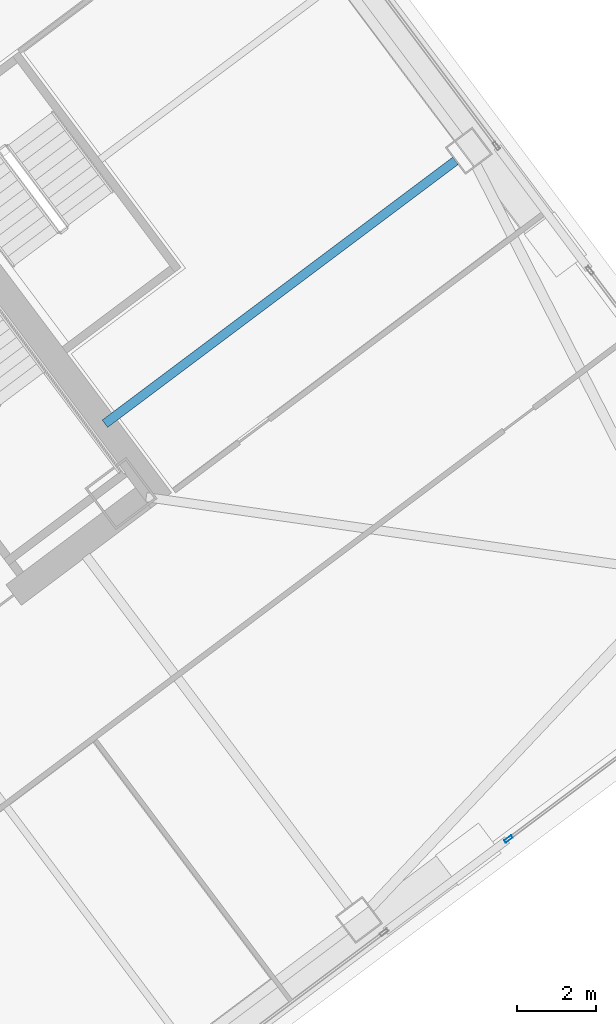
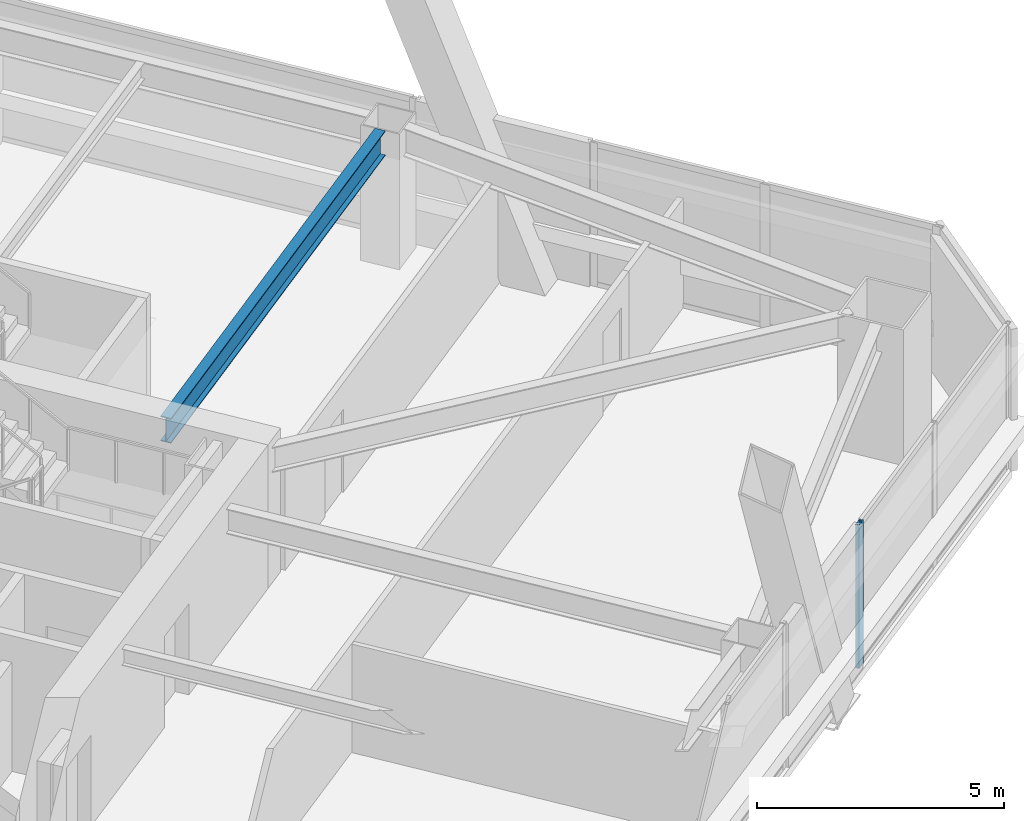
# One storey, part 31 of 54: 1 beam, 1 member, 1 element without a shape of its own.
"""IFC4 building model written with IfcOpenShell, lengths in metres."""

from ifc_helpers import new_model, si_unit, direction, frame, origin, origin_2d, place, context, subcontext, project, spatial, hollow_rectangle, i_section, extrude, material, material_profile, profile_set, type_object, element, aggregate, save


model = new_model("IFC4")

# Units and contexts
model_context = context("Model", 3, precision=1e-05, world=origin(), true_north=direction((0.0, 1.0)))
body_context = subcontext(model_context, "Body", "Model", "MODEL_VIEW")
ifc_project = project(units=[si_unit("LENGTHUNIT", "METRE"), si_unit("AREAUNIT", "SQUARE_METRE"), si_unit("VOLUMEUNIT", "CUBIC_METRE"), si_unit("PLANEANGLEUNIT", "RADIAN"), si_unit("MASSUNIT", "GRAM", prefix="KILO")], contexts=[model_context])

# Site, building, storey
site_placement = place(None, origin())
site = spatial("IfcSite", under=ifc_project, at=site_placement, CompositionType="ELEMENT")
building_placement = place(site_placement, origin())
building = spatial("IfcBuilding", under=site, at=building_placement, Name="Tashvorn Skyway Center", CompositionType="ELEMENT")
storey_placement = place(building_placement, frame((0.0, 0.0, 88.5)))
storey = spatial("IfcBuildingStorey", under=building, at=storey_placement, Name="L23", CompositionType="ELEMENT", Elevation=88.5)

# Beam
ifc_material_1 = material(Name="Steel ASTM A992 Grade 50", Category="steel")
ifc_material_profile_1 = material_profile(ifc_material_1, i_section(OverallWidth=0.22998046875, OverallDepth=0.616943359375, WebThickness=0.01318359375, FlangeThickness=0.022216796875, at=origin_2d()), Name="W24X94")
ifc_profile_set_1 = profile_set([ifc_material_profile_1], Name="Steel ASTM A992 Grade 50")
beam_type = type_object("IfcBeamType", Name="BM-BEAM-W24X94", PredefinedType="BEAM", material=ifc_profile_set_1)
beam_placement = place(storey_placement, frame((132.303955078125, 38.97802734375, 3.04150390625), z_axis=(-0.799989394625, -0.60001414024, 0.0), x_axis=(0.60001414024, -0.799989394625, 0.0)))
element("IfcBeam", 1, at=beam_placement, inside=storey, type_object=beam_type, Name="Tower 2 L23 Primary Floor Girder FC-E1", PredefinedType="BEAM", context=body_context, shape_type="SweptSolid", body=[
    extrude(i_section(OverallWidth=0.22998046875, OverallDepth=0.616943359375, WebThickness=0.01318359375, FlangeThickness=0.022216796875, at=origin_2d()), origin(), (0.0, 0.0, 1.0), 11.050048828125),
])

# Curtain wall, member
ifc_material_2 = material(Name="Thermally broken bronze-anodized aluminium 6063-T6", Category="aluminium")
curtain_wall_type = type_object("IfcCurtainWallType", Name="CW-CW-Z2", PredefinedType="NOTDEFINED", material=ifc_material_2)
curtain_wall_placement = place(storey_placement, origin())
curtain_wall = element("IfcCurtainWall", 2, at=curtain_wall_placement, inside=storey, type_object=curtain_wall_type, Name="Tower 2 L23 South Unitised Curtain Wall Glazing Group 1", PredefinedType="NOTDEFINED")
ifc_material_profile_2 = material_profile(ifc_material_2, hollow_rectangle(XDim=0.080078125, YDim=0.219970703125, WallThickness=0.0048828125, at=origin_2d()), Name="ALU-MULL-80x220")
ifc_profile_set_2 = profile_set([ifc_material_profile_2], Name="Thermally broken bronze-anodized aluminium 6063-T6")
member_type = type_object("IfcMemberType", Name="CWM-CW-Z2", PredefinedType="MULLION", material=ifc_profile_set_2)
member_placement = place(storey_placement, frame((133.639892578125, 21.8798828125, 0.0), z_axis=(0.0, 0.0, 1.0), x_axis=(0.600000000002, -0.799999999998, 0.0)))
member = element("IfcMember", 3, at=member_placement, type_object=member_type, Name="CW-Z2 mullion 3", PredefinedType="MULLION", context=body_context, shape_type="SweptSolid", body=[
    extrude(hollow_rectangle(XDim=0.080078125, YDim=0.219970703125, WallThickness=0.0048828125, at=origin_2d()), origin(), (0.0, 0.0, 1.0), 3.550048828125),
])
aggregate(curtain_wall, [member])

save(model, "model.ifc")
